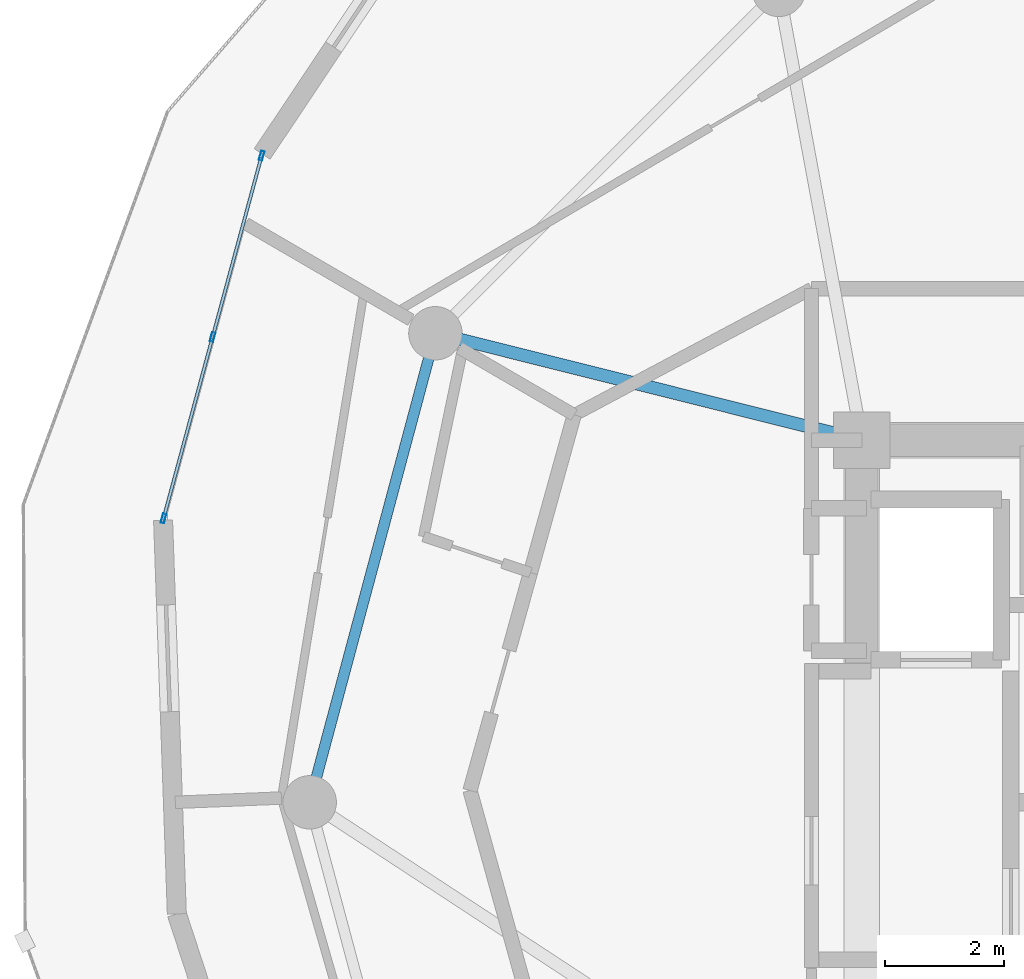
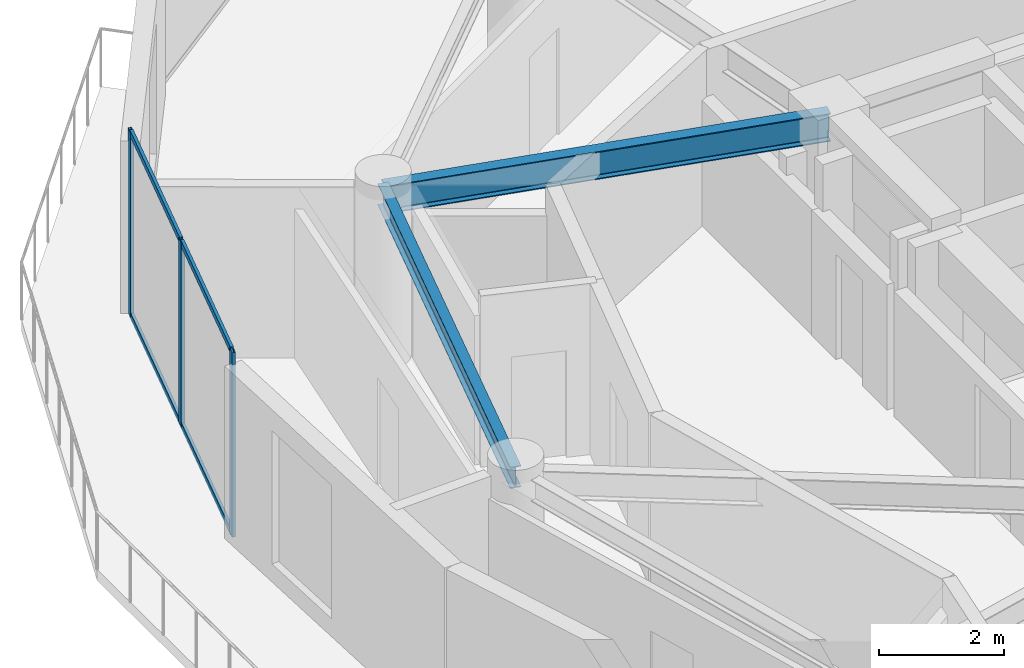
# One storey, part 6 of 18: 7 members, 2 beams, 1 element without a shape of its own.
"""IFC4 building model written with IfcOpenShell, lengths in metres."""

from ifc_helpers import new_model, si_unit, direction, frame, origin, origin_2d, place, context, subcontext, project, spatial, hollow_rectangle, i_section, extrude, source, transform, mapped, material, layer, layer_set, material_profile, profile_set, type_object, element, aggregate, save


model = new_model("IFC4")

# Units and contexts
model_context = context("Model", 3, precision=1e-05, world=origin(), true_north=direction((0.0, 1.0)))
body_context = subcontext(model_context, "Body", "Model", "MODEL_VIEW")
ifc_project = project(units=[si_unit("LENGTHUNIT", "METRE"), si_unit("AREAUNIT", "SQUARE_METRE"), si_unit("VOLUMEUNIT", "CUBIC_METRE"), si_unit("PLANEANGLEUNIT", "RADIAN"), si_unit("MASSUNIT", "GRAM", prefix="KILO")], contexts=[model_context])

# Site, building, storey
site_placement = place(None, origin())
site = spatial("IfcSite", under=ifc_project, at=site_placement, CompositionType="ELEMENT")
building_placement = place(site_placement, origin())
building = spatial("IfcBuilding", under=site, at=building_placement, Name="Solvirekh Grand Hotel", CompositionType="ELEMENT")
storey_placement = place(building_placement, frame((0.0, 0.0, 202.0)))
storey = spatial("IfcBuildingStorey", under=building, at=storey_placement, Name="L52", CompositionType="ELEMENT", Elevation=202.0)

# Beams
ifc_material_1 = material(Name="Steel S355", Category="steel")
ifc_material_profile_1 = material_profile(ifc_material_1, i_section(OverallWidth=0.2119140625, OverallDepth=0.5439453125, WebThickness=0.011962890625, FlangeThickness=0.01904296875, FilletRadius=0.013916015625, at=origin_2d()), Name="W530X123")
ifc_profile_set_1 = profile_set([ifc_material_profile_1], Name="Steel S355")
beam_type_1 = type_object("IfcBeamType", Name="Beam_Radial_W530H", PredefinedType="BEAM", material=ifc_profile_set_1)
beam_1_placement = place(storey_placement, frame((-6.5, 6.10009765625, 3.087890625), z_axis=(-0.970014367692, 0.243047580675, 0.0), x_axis=(-0.243047580675, -0.970014367692, 0.0)))
element("IfcBeam", 1, at=beam_1_placement, inside=storey, type_object=beam_type_1, Name="L52 radial floor beam R06", PredefinedType="BEAM", context=body_context, shape_type="SweptSolid", body=[
    extrude(i_section(OverallWidth=0.2119140625, OverallDepth=0.5439453125, WebThickness=0.011962890625, FlangeThickness=0.01904296875, FilletRadius=0.013916015625, at=origin_2d()), origin(), (0.0, 0.0, 1.0), 7.4052734375),
])
ifc_material_profile_2 = material_profile(ifc_material_1, i_section(OverallWidth=0.180908203125, OverallDepth=0.4169921875, WebThickness=0.010009765625, FlangeThickness=0.01611328125, FilletRadius=0.011962890625, at=origin_2d()), Name="W410X85")
ifc_profile_set_2 = profile_set([ifc_material_profile_2], Name="Steel S355")
beam_type_2 = type_object("IfcBeamType", Name="Spandrel_Ring_W410", PredefinedType="SPANDREL", material=ifc_profile_set_2)
beam_2_placement = place(storey_placement, frame((-13.68310546875, 7.89990234375, 3.152099609375), z_axis=(-0.258838541915, -0.965920601923, 0.0), x_axis=(0.965920601923, -0.258838541915, 0.0)))
element("IfcBeam", 2, at=beam_2_placement, inside=storey, type_object=beam_type_2, Name="L52 perimeter spandrel beam 6", PredefinedType="SPANDREL", context=body_context, shape_type="SweptSolid", body=[
    extrude(i_section(OverallWidth=0.180908203125, OverallDepth=0.4169921875, WebThickness=0.010009765625, FlangeThickness=0.01611328125, FilletRadius=0.011962890625, at=origin_2d()), origin(), (0.0, 0.0, 1.0), 8.1787109375),
])

# Curtain wall, members
ifc_material_2 = material(Name="Anodized Bronze Aluminium 6063-T6", Category="aluminium")
ifc_layer = layer(ifc_material_2, 0.159912109375)
ifc_layer_set = layer_set([ifc_layer], Name="Anodized Bronze Aluminium 6063-T6")
curtain_wall_type = type_object("IfcCurtainWallType", Name="CW_Sys4_HighZoneFlushBronzeCW", PredefinedType="NOTDEFINED", material=ifc_layer_set)
curtain_wall_placement = place(storey_placement, origin())
curtain_wall = element("IfcCurtainWall", 3, at=curtain_wall_placement, inside=storey, type_object=curtain_wall_type, Name="L52 unitised bronze-glass curtain wall CW-L52-C13", PredefinedType="NOTDEFINED")
ifc_material_profile_3 = material_profile(ifc_material_2, hollow_rectangle(XDim=0.06005859375, YDim=0.159912109375, WallThickness=0.0048828125, at=origin_2d()), Name="ALU RHS 160X60X5")
ifc_profile_set_3 = profile_set([ifc_material_profile_3], Name="Anodized Bronze Aluminium 6063-T6")
member_type_1 = type_object("IfcMemberType", Name="CWMullion_Sys4", PredefinedType="MULLION", material=ifc_profile_set_3)
shared_shape_1 = source(origin(), body_context, "Body", "SweptSolid", [
    extrude(hollow_rectangle(XDim=0.06005859375, YDim=0.159912109375, WallThickness=0.0048828125, at=origin_2d()), origin(), (0.0, 0.0, 1.0), 3.60009765625),
])
member_1_placement = place(storey_placement, frame((-16.60888671875, 10.89111328125, 0.0), z_axis=(0.0, 0.0, 1.0), x_axis=(0.965285580068, -0.26119676283, 0.0)))
member_1 = element("IfcMember", 4, at=member_1_placement, type_object=member_type_1, Name="U04 mullion 1", PredefinedType="MULLION", context=body_context, shape_type="MappedRepresentation", body=[
    mapped(shared_shape_1, transform((0.0, 0.0, 0.0), x_axis=(1.0, 0.0, 0.0), y_axis=(0.0, 1.0, 0.0), z_axis=(0.0, 0.0, 1.0), scale=1.0)),
])
member_2_placement = place(storey_placement, frame((-17.435546875, 7.8359375, 0.0), z_axis=(0.0, 0.0, 1.0), x_axis=(0.965285580068, -0.26119676283, 0.0)))
member_2 = element("IfcMember", 5, at=member_2_placement, type_object=member_type_1, Name="U04 mullion 2", PredefinedType="MULLION", context=body_context, shape_type="MappedRepresentation", body=[
    mapped(shared_shape_1, transform((0.0, 0.0, 0.0), x_axis=(1.0, 0.0, 0.0), y_axis=(0.0, 1.0, 0.0), z_axis=(0.0, 0.0, 1.0), scale=1.0)),
])
member_3_placement = place(storey_placement, frame((-18.26220703125, 4.781005859375, 0.0), z_axis=(0.0, 0.0, 1.0), x_axis=(0.965285580068, -0.26119676283, 0.0)))
member_3 = element("IfcMember", 6, at=member_3_placement, type_object=member_type_1, Name="U04 mullion 3", PredefinedType="MULLION", context=body_context, shape_type="MappedRepresentation", body=[
    mapped(shared_shape_1, transform((0.0, 0.0, 0.0), x_axis=(1.0, 0.0, 0.0), y_axis=(0.0, 1.0, 0.0), z_axis=(0.0, 0.0, 1.0), scale=1.0)),
])
ifc_material_profile_4 = material_profile(ifc_material_2, hollow_rectangle(XDim=0.054931640625, YDim=0.1201171875, WallThickness=0.00390625, at=origin_2d()), Name="ALU RHS 120X55X4")
ifc_profile_set_4 = profile_set([ifc_material_profile_4], Name="Anodized Bronze Aluminium 6063-T6")
member_type_2 = type_object("IfcMemberType", Name="CWTransom_Sys4", PredefinedType="USERDEFINED", material=ifc_profile_set_4)
shared_shape_2 = source(origin(), body_context, "Body", "SweptSolid", [
    extrude(hollow_rectangle(XDim=0.054931640625, YDim=0.1201171875, WallThickness=0.00390625, at=origin_2d()), origin(), (0.0, 0.0, 1.0), 3.10498046875),
])
member_4_placement = place(storey_placement, frame((-16.61669921875, 10.862060546875, 0.027587890625), z_axis=(-0.26121401047, -0.965280912861, 0.0), x_axis=(0.965280912861, -0.26121401047, 0.0)))
member_4 = element("IfcMember", 7, at=member_4_placement, type_object=member_type_2, Name="U04 transom 1.1", ObjectType="TRANSOM", PredefinedType="USERDEFINED", context=body_context, shape_type="MappedRepresentation", body=[
    mapped(shared_shape_2, transform((0.0, 0.0, 0.0), x_axis=(1.0, 0.0, 0.0), y_axis=(0.0, 1.0, 0.0), z_axis=(0.0, 0.0, 1.0), scale=1.0)),
])
member_5_placement = place(storey_placement, frame((-16.61669921875, 10.862060546875, 3.572509765625), z_axis=(-0.26121401047, -0.965280912861, 0.0), x_axis=(0.965280912861, -0.26121401047, 0.0)))
member_5 = element("IfcMember", 8, at=member_5_placement, type_object=member_type_2, Name="U04 transom 1.2", ObjectType="TRANSOM", PredefinedType="USERDEFINED", context=body_context, shape_type="MappedRepresentation", body=[
    mapped(shared_shape_2, transform((0.0, 0.0, 0.0), x_axis=(1.0, 0.0, 0.0), y_axis=(0.0, 1.0, 0.0), z_axis=(0.0, 0.0, 1.0), scale=1.0)),
])
shared_shape_3 = source(origin(), body_context, "Body", "SweptSolid", [
    extrude(hollow_rectangle(XDim=0.054931640625, YDim=0.1201171875, WallThickness=0.00390625, at=origin_2d()), origin(), (0.0, 0.0, 1.0), 3.105224609375),
])
member_6_placement = place(storey_placement, frame((-17.443359375, 7.80712890625, 0.027587890625), z_axis=(-0.261194185375, -0.965286277498, 0.0), x_axis=(0.965286277498, -0.261194185375, 0.0)))
member_6 = element("IfcMember", 9, at=member_6_placement, type_object=member_type_2, Name="U04 transom 2.1", ObjectType="TRANSOM", PredefinedType="USERDEFINED", context=body_context, shape_type="MappedRepresentation", body=[
    mapped(shared_shape_3, transform((0.0, 0.0, 0.0), x_axis=(1.0, 0.0, 0.0), y_axis=(0.0, 1.0, 0.0), z_axis=(0.0, 0.0, 1.0), scale=1.0)),
])
member_7_placement = place(storey_placement, frame((-17.443359375, 7.80712890625, 3.572509765625), z_axis=(-0.261194185375, -0.965286277498, 0.0), x_axis=(0.965286277498, -0.261194185375, 0.0)))
member_7 = element("IfcMember", 10, at=member_7_placement, type_object=member_type_2, Name="U04 transom 2.2", ObjectType="TRANSOM", PredefinedType="USERDEFINED", context=body_context, shape_type="MappedRepresentation", body=[
    mapped(shared_shape_3, transform((0.0, 0.0, 0.0), x_axis=(1.0, 0.0, 0.0), y_axis=(0.0, 1.0, 0.0), z_axis=(0.0, 0.0, 1.0), scale=1.0)),
])
aggregate(curtain_wall, [member_1, member_2, member_3, member_4, member_5, member_6, member_7])

save(model, "model.ifc")
